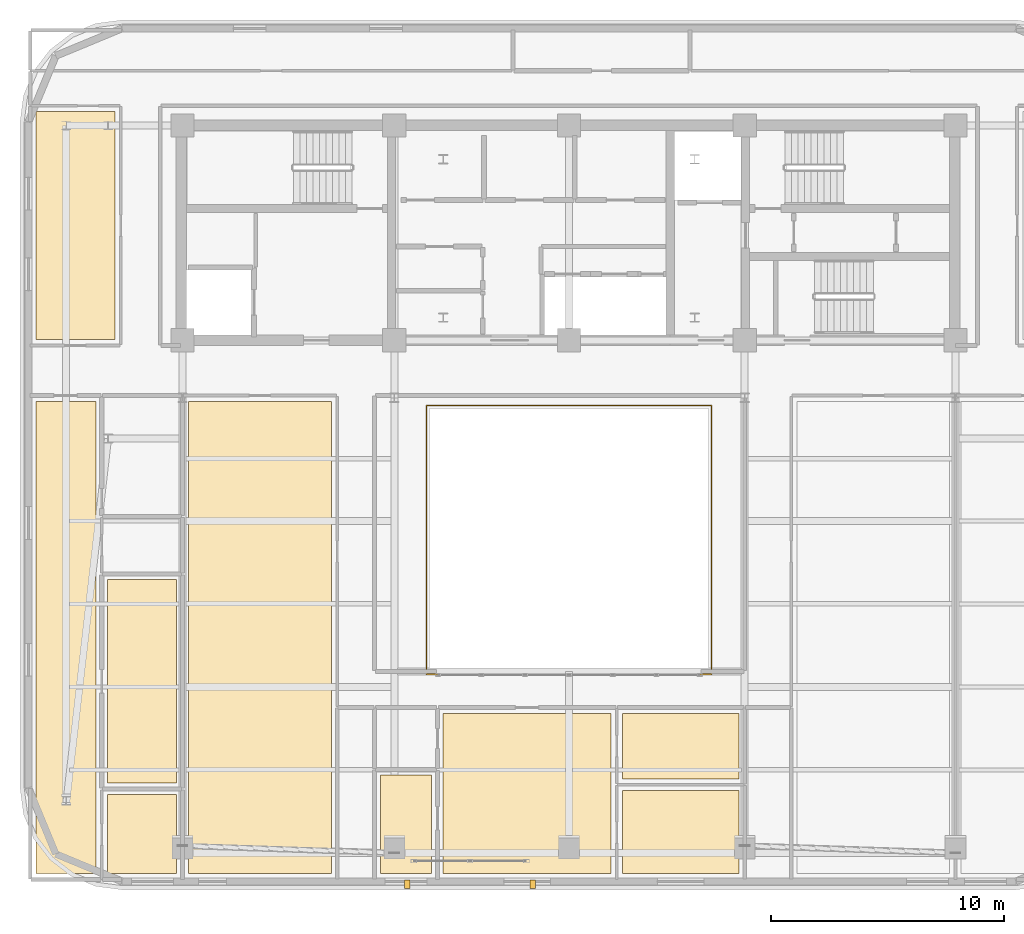
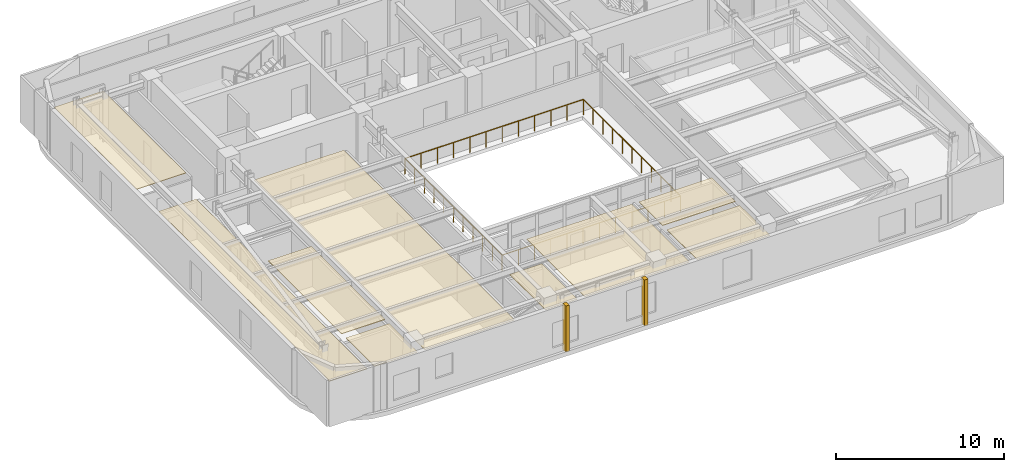
# One storey, part 11 of 14: 11 coverings, 1 railing.
"""IFC4 building model written with IfcOpenShell, lengths in metres."""

from ifc_helpers import new_model, si_unit, direction, frame, origin, origin_2d, place, context, subcontext, project, spatial, polyline, rectangle, outline, extrude, material, layer, layer_set, type_object, element, save


model = new_model("IFC4")

# Units and contexts
model_context = context("Model", 3, precision=1e-05, world=origin(), true_north=direction((0.0, 1.0)))
body_context = subcontext(model_context, "Body", "Model", "MODEL_VIEW")
ifc_project = project(units=[si_unit("LENGTHUNIT", "METRE"), si_unit("AREAUNIT", "SQUARE_METRE"), si_unit("VOLUMEUNIT", "CUBIC_METRE"), si_unit("PLANEANGLEUNIT", "RADIAN"), si_unit("MASSUNIT", "GRAM", prefix="KILO")], contexts=[model_context])

# Site, building, storey
site_placement = place(None, origin())
site = spatial("IfcSite", under=ifc_project, at=site_placement, CompositionType="ELEMENT")
building_placement = place(site_placement, origin())
building = spatial("IfcBuilding", under=site, at=building_placement, Name="Zarnavel Station Tower", CompositionType="ELEMENT")
storey_placement = place(building_placement, frame((0.0, 0.0, 222.0)))
storey = spatial("IfcBuildingStorey", under=building, at=storey_placement, Name="L60", CompositionType="ELEMENT", Elevation=222.0)

# Coverings
ifc_material_1 = material(Name="Perforated Gypsum and Mineral-Wool Acoustic Ceiling", Category="concrete")
ifc_layer = layer(ifc_material_1, 0.0400390625)
ifc_layer_set = layer_set([ifc_layer], Name="COV_CEIL_ACOUSTIC")
covering_type_1 = type_object("IfcCoveringType", Name="COV_CEIL_ACOUSTIC", PredefinedType="CEILING", material=ifc_layer_set)
covering_1_placement = place(storey_placement, frame((0.0, 0.0, 3.02001953125)))
element("IfcCovering", 1, at=covering_1_placement, inside=storey, type_object=covering_type_1, Name="L60 FNW Acoustic Ceiling", PredefinedType="CEILING", context=body_context, shape_type="SweptSolid", body=[
    extrude(outline(polyline([(5.909912109375, 27.85009765625), (9.300048828125, 27.85009765625), (9.300048828125, 37.64990234375), (5.909912109375, 37.64990234375), (5.909912109375, 27.85009765625)])), origin(), (0.0, 0.0, 1.0), 0.0400390625),
])
covering_2_placement = place(storey_placement, frame((0.0, 0.0, 3.02001953125)))
element("IfcCovering", 2, at=covering_2_placement, inside=storey, type_object=covering_type_1, Name="L60 UW1LV Acoustic Ceiling", PredefinedType="CEILING", context=body_context, shape_type="SweptSolid", body=[
    extrude(outline(polyline([(5.909912109375, 4.909912109375), (8.48388671875, 4.909912109375), (8.48388671875, 25.199951171875), (5.909912109375, 25.199951171875), (5.909912109375, 4.909912109375)])), origin(), (0.0, 0.0, 1.0), 0.0400390625),
])
covering_3_placement = place(storey_placement, frame((0.0, 0.0, 3.02001953125)))
element("IfcCovering", 3, at=covering_3_placement, inside=storey, type_object=covering_type_1, Name="L60 UW1B1 Acoustic Ceiling", PredefinedType="CEILING", context=body_context, shape_type="SweptSolid", body=[
    extrude(outline(polyline([(8.98388671875, 4.909912109375), (11.949951171875, 4.909912109375), (11.949951171875, 8.304931640625), (8.98388671875, 8.304931640625), (8.98388671875, 4.909912109375)])), origin(), (0.0, 0.0, 1.0), 0.0400390625),
])
covering_4_placement = place(storey_placement, frame((0.0, 0.0, 3.02001953125)))
element("IfcCovering", 4, at=covering_4_placement, inside=storey, type_object=covering_type_1, Name="L60 UW1KT Acoustic Ceiling", PredefinedType="CEILING", context=body_context, shape_type="SweptSolid", body=[
    extrude(outline(polyline([(8.98388671875, 8.804931640625), (11.949951171875, 8.804931640625), (11.949951171875, 17.5380859375), (8.98388671875, 17.5380859375), (8.98388671875, 8.804931640625)])), origin(), (0.0, 0.0, 1.0), 0.0400390625),
])
covering_5_placement = place(storey_placement, frame((0.0, 0.0, 3.02001953125)))
element("IfcCovering", 5, at=covering_5_placement, inside=storey, type_object=covering_type_1, Name="L60 L59LIB Acoustic Ceiling", PredefinedType="CEILING", context=body_context, shape_type="SweptSolid", body=[
    extrude(outline(polyline([(12.449951171875, 4.909912109375), (18.60009765625, 4.909912109375), (18.60009765625, 25.199951171875), (12.449951171875, 25.199951171875), (12.449951171875, 4.909912109375)])), origin(), (0.0, 0.0, 1.0), 0.0400390625),
])
covering_6_placement = place(storey_placement, frame((0.0, 0.0, 3.02001953125)))
element("IfcCovering", 6, at=covering_6_placement, inside=storey, type_object=covering_type_1, Name="L60 US1LV Acoustic Ceiling", PredefinedType="CEILING", context=body_context, shape_type="SweptSolid", body=[
    extrude(outline(polyline([(23.39990234375, 4.909912109375), (30.60009765625, 4.909912109375), (30.60009765625, 11.800048828125), (23.39990234375, 11.800048828125), (23.39990234375, 4.909912109375)])), origin(), (0.0, 0.0, 1.0), 0.0400390625),
])
covering_7_placement = place(storey_placement, frame((0.0, 0.0, 3.02001953125)))
element("IfcCovering", 7, at=covering_7_placement, inside=storey, type_object=covering_type_1, Name="L60 US1KT Acoustic Ceiling", PredefinedType="CEILING", context=body_context, shape_type="SweptSolid", body=[
    extrude(outline(polyline([(20.699951171875, 4.909912109375), (22.89990234375, 4.909912109375), (22.89990234375, 9.139892578125), (20.699951171875, 9.139892578125), (20.699951171875, 4.909912109375)])), origin(), (0.0, 0.0, 1.0), 0.0400390625),
])
covering_8_placement = place(storey_placement, frame((0.0, 0.0, 3.02001953125)))
element("IfcCovering", 8, at=covering_8_placement, inside=storey, type_object=covering_type_1, Name="L60 US1B1 Acoustic Ceiling", PredefinedType="CEILING", context=body_context, shape_type="SweptSolid", body=[
    extrude(outline(polyline([(31.10009765625, 4.909912109375), (36.10009765625, 4.909912109375), (36.10009765625, 8.485107421875), (31.10009765625, 8.485107421875), (31.10009765625, 4.909912109375)])), origin(), (0.0, 0.0, 1.0), 0.0400390625),
])
covering_9_placement = place(storey_placement, frame((0.0, 0.0, 3.02001953125)))
element("IfcCovering", 9, at=covering_9_placement, inside=storey, type_object=covering_type_1, Name="L60 US1B2 Acoustic Ceiling", PredefinedType="CEILING", context=body_context, shape_type="SweptSolid", body=[
    extrude(outline(polyline([(31.10009765625, 8.985107421875), (36.10009765625, 8.985107421875), (36.10009765625, 11.800048828125), (31.10009765625, 11.800048828125), (31.10009765625, 8.985107421875)])), origin(), (0.0, 0.0, 1.0), 0.0400390625),
])
ifc_material_2 = material(Name="Precast concrete C45/55 (Pale Travertine Slab Band)", Category="masonry")
covering_type_2 = type_object("IfcCoveringType", Name="COV_TRAVERTINE_BAND", PredefinedType="CLADDING", material=ifc_material_2)
for number, where, z_axis, x_axis, name in (
    (10, (21.85009765625, 4.449951171875, 0.0), (0.0, 0.0, 1.0), (1.0, 0.0, 0.0), "L60 Travertine Portal Loggia Vertical Jog West"),
    (11, (27.25, 4.449951171875, 0.0), (0.0, 0.0, 1.0), (1.0, 0.0, 0.0), "L60 Travertine Portal Loggia Vertical Jog East"),
):
    element("IfcCovering", number, at=place(storey_placement, frame(where, z_axis=z_axis, x_axis=x_axis)), inside=storey, type_object=covering_type_2, Name=name, PredefinedType="CLADDING", context=body_context, shape_type="SweptSolid", body=[
        extrude(rectangle(XDim=0.239990234375, YDim=0.360107421875, at=origin_2d()), origin(), (0.0, 0.0, 1.0), 3.340087890625),
    ])

# Railing
ifc_material_3 = material(Name="Painted Steel S355J2 Balustrade", Category="steel")
railing_type = type_object("IfcRailingType", Name="GR_INT_1150", PredefinedType="GUARDRAIL", material=ifc_material_3)
railing_placement = place(storey_placement, frame((22.679931640625, 13.47998046875, 0.0)))
element("IfcRailing", 12, at=railing_placement, inside=storey, type_object=railing_type, Name="L60 Atrium Void Guardrail", PredefinedType="GUARDRAIL", context=body_context, shape_type="SweptSolid", body=[
    extrude(rectangle(XDim=0.048095703125, YDim=0.048095703125, at=origin_2d()), frame((0.001953125, 0.0, 1.1259765625), z_axis=(1.0, 0.0, 0.0), x_axis=(0.0, 1.0, 0.0)), (0.0, 0.0, 1.0), 12.236083984375),
    extrude(rectangle(XDim=0.048095703125, YDim=0.048095703125, at=origin_2d()), frame((12.239990234375, 0.001953125, 1.1259765625), z_axis=(0.0, 1.0, 0.0), x_axis=(-1.0, 0.0, 0.0)), (0.0, 0.0, 1.0), 11.5361328125),
    extrude(rectangle(XDim=0.048095703125, YDim=0.048095703125, at=origin_2d()), frame((12.238037109375, 11.5400390625, 1.1259765625), z_axis=(-1.0, 0.0, 0.0), x_axis=(0.0, -1.0, 0.0)), (0.0, 0.0, 1.0), 12.236083984375),
    extrude(rectangle(XDim=0.048095703125, YDim=0.048095703125, at=origin_2d()), frame((0.0, 11.5380859375, 1.1259765625), z_axis=(0.0, -1.0, 0.0), x_axis=(1.0, 0.0, 0.0)), (0.0, 0.0, 1.0), 11.5361328125),
    extrude(rectangle(XDim=0.0419921875, YDim=0.0419921875, at=origin_2d()), origin(), (0.0, 0.0, 1.0), 1.101806640625),
    extrude(rectangle(XDim=0.0419921875, YDim=0.0419921875, at=origin_2d()), frame((1.11279296875, 0.0, 0.0)), (0.0, 0.0, 1.0), 1.101806640625),
    extrude(rectangle(XDim=0.0419921875, YDim=0.0419921875, at=origin_2d()), frame((2.225341796875, 0.0, 0.0)), (0.0, 0.0, 1.0), 1.101806640625),
    extrude(rectangle(XDim=0.0419921875, YDim=0.0419921875, at=origin_2d()), frame((3.338134765625, 0.0, 0.0)), (0.0, 0.0, 1.0), 1.101806640625),
    extrude(rectangle(XDim=0.0419921875, YDim=0.0419921875, at=origin_2d()), frame((4.450927734375, 0.0, 0.0)), (0.0, 0.0, 1.0), 1.101806640625),
    extrude(rectangle(XDim=0.0419921875, YDim=0.0419921875, at=origin_2d()), frame((5.563720703125, 0.0, 0.0)), (0.0, 0.0, 1.0), 1.101806640625),
    extrude(rectangle(XDim=0.0419921875, YDim=0.0419921875, at=origin_2d()), frame((6.67626953125, 0.0, 0.0)), (0.0, 0.0, 1.0), 1.101806640625),
    extrude(rectangle(XDim=0.0419921875, YDim=0.0419921875, at=origin_2d()), frame((7.7890625, 0.0, 0.0)), (0.0, 0.0, 1.0), 1.101806640625),
    extrude(rectangle(XDim=0.0419921875, YDim=0.0419921875, at=origin_2d()), frame((8.90185546875, 0.0, 0.0)), (0.0, 0.0, 1.0), 1.101806640625),
    extrude(rectangle(XDim=0.0419921875, YDim=0.0419921875, at=origin_2d()), frame((10.0146484375, 0.0, 0.0)), (0.0, 0.0, 1.0), 1.101806640625),
    extrude(rectangle(XDim=0.0419921875, YDim=0.0419921875, at=origin_2d()), frame((11.127197265625, 0.0, 0.0)), (0.0, 0.0, 1.0), 1.101806640625),
    extrude(rectangle(XDim=0.0419921875, YDim=0.0419921875, at=origin_2d()), frame((12.239990234375, 0.0, 0.0)), (0.0, 0.0, 1.0), 1.101806640625),
    extrude(rectangle(XDim=0.0419921875, YDim=0.0419921875, at=origin_2d()), frame((12.239990234375, 1.154052734375, 0.0)), (0.0, 0.0, 1.0), 1.101806640625),
    extrude(rectangle(XDim=0.0419921875, YDim=0.0419921875, at=origin_2d()), frame((12.239990234375, 2.30810546875, 0.0)), (0.0, 0.0, 1.0), 1.101806640625),
    extrude(rectangle(XDim=0.0419921875, YDim=0.0419921875, at=origin_2d()), frame((12.239990234375, 3.4619140625, 0.0)), (0.0, 0.0, 1.0), 1.101806640625),
    extrude(rectangle(XDim=0.0419921875, YDim=0.0419921875, at=origin_2d()), frame((12.239990234375, 4.615966796875, 0.0)), (0.0, 0.0, 1.0), 1.101806640625),
    extrude(rectangle(XDim=0.0419921875, YDim=0.0419921875, at=origin_2d()), frame((12.239990234375, 5.77001953125, 0.0)), (0.0, 0.0, 1.0), 1.101806640625),
    extrude(rectangle(XDim=0.0419921875, YDim=0.0419921875, at=origin_2d()), frame((12.239990234375, 6.924072265625, 0.0)), (0.0, 0.0, 1.0), 1.101806640625),
    extrude(rectangle(XDim=0.0419921875, YDim=0.0419921875, at=origin_2d()), frame((12.239990234375, 8.078125, 0.0)), (0.0, 0.0, 1.0), 1.101806640625),
    extrude(rectangle(XDim=0.0419921875, YDim=0.0419921875, at=origin_2d()), frame((12.239990234375, 9.23193359375, 0.0)), (0.0, 0.0, 1.0), 1.101806640625),
    extrude(rectangle(XDim=0.0419921875, YDim=0.0419921875, at=origin_2d()), frame((12.239990234375, 10.385986328125, 0.0)), (0.0, 0.0, 1.0), 1.101806640625),
    extrude(rectangle(XDim=0.0419921875, YDim=0.0419921875, at=origin_2d()), frame((12.239990234375, 11.5400390625, 0.0)), (0.0, 0.0, 1.0), 1.101806640625),
    extrude(rectangle(XDim=0.0419921875, YDim=0.0419921875, at=origin_2d()), frame((11.127197265625, 11.5400390625, 0.0)), (0.0, 0.0, 1.0), 1.101806640625),
    extrude(rectangle(XDim=0.0419921875, YDim=0.0419921875, at=origin_2d()), frame((10.0146484375, 11.5400390625, 0.0)), (0.0, 0.0, 1.0), 1.101806640625),
    extrude(rectangle(XDim=0.0419921875, YDim=0.0419921875, at=origin_2d()), frame((8.90185546875, 11.5400390625, 0.0)), (0.0, 0.0, 1.0), 1.101806640625),
    extrude(rectangle(XDim=0.0419921875, YDim=0.0419921875, at=origin_2d()), frame((7.7890625, 11.5400390625, 0.0)), (0.0, 0.0, 1.0), 1.101806640625),
    extrude(rectangle(XDim=0.0419921875, YDim=0.0419921875, at=origin_2d()), frame((6.67626953125, 11.5400390625, 0.0)), (0.0, 0.0, 1.0), 1.101806640625),
    extrude(rectangle(XDim=0.0419921875, YDim=0.0419921875, at=origin_2d()), frame((5.563720703125, 11.5400390625, 0.0)), (0.0, 0.0, 1.0), 1.101806640625),
    extrude(rectangle(XDim=0.0419921875, YDim=0.0419921875, at=origin_2d()), frame((4.450927734375, 11.5400390625, 0.0)), (0.0, 0.0, 1.0), 1.101806640625),
    extrude(rectangle(XDim=0.0419921875, YDim=0.0419921875, at=origin_2d()), frame((3.338134765625, 11.5400390625, 0.0)), (0.0, 0.0, 1.0), 1.101806640625),
    extrude(rectangle(XDim=0.0419921875, YDim=0.0419921875, at=origin_2d()), frame((2.225341796875, 11.5400390625, 0.0)), (0.0, 0.0, 1.0), 1.101806640625),
    extrude(rectangle(XDim=0.0419921875, YDim=0.0419921875, at=origin_2d()), frame((1.11279296875, 11.5400390625, 0.0)), (0.0, 0.0, 1.0), 1.101806640625),
    extrude(rectangle(XDim=0.0419921875, YDim=0.0419921875, at=origin_2d()), frame((0.0, 11.5400390625, 0.0)), (0.0, 0.0, 1.0), 1.101806640625),
    extrude(rectangle(XDim=0.0419921875, YDim=0.0419921875, at=origin_2d()), frame((0.0, 10.385986328125, 0.0)), (0.0, 0.0, 1.0), 1.101806640625),
    extrude(rectangle(XDim=0.0419921875, YDim=0.0419921875, at=origin_2d()), frame((0.0, 9.23193359375, 0.0)), (0.0, 0.0, 1.0), 1.101806640625),
    extrude(rectangle(XDim=0.0419921875, YDim=0.0419921875, at=origin_2d()), frame((0.0, 8.078125, 0.0)), (0.0, 0.0, 1.0), 1.101806640625),
    extrude(rectangle(XDim=0.0419921875, YDim=0.0419921875, at=origin_2d()), frame((0.0, 6.924072265625, 0.0)), (0.0, 0.0, 1.0), 1.101806640625),
    extrude(rectangle(XDim=0.0419921875, YDim=0.0419921875, at=origin_2d()), frame((0.0, 5.77001953125, 0.0)), (0.0, 0.0, 1.0), 1.101806640625),
    extrude(rectangle(XDim=0.0419921875, YDim=0.0419921875, at=origin_2d()), frame((0.0, 4.615966796875, 0.0)), (0.0, 0.0, 1.0), 1.101806640625),
    extrude(rectangle(XDim=0.0419921875, YDim=0.0419921875, at=origin_2d()), frame((0.0, 3.4619140625, 0.0)), (0.0, 0.0, 1.0), 1.101806640625),
    extrude(rectangle(XDim=0.0419921875, YDim=0.0419921875, at=origin_2d()), frame((0.0, 2.30810546875, 0.0)), (0.0, 0.0, 1.0), 1.101806640625),
    extrude(rectangle(XDim=0.0419921875, YDim=0.0419921875, at=origin_2d()), frame((0.0, 1.154052734375, 0.0)), (0.0, 0.0, 1.0), 1.101806640625),
])

save(model, "model.ifc")
